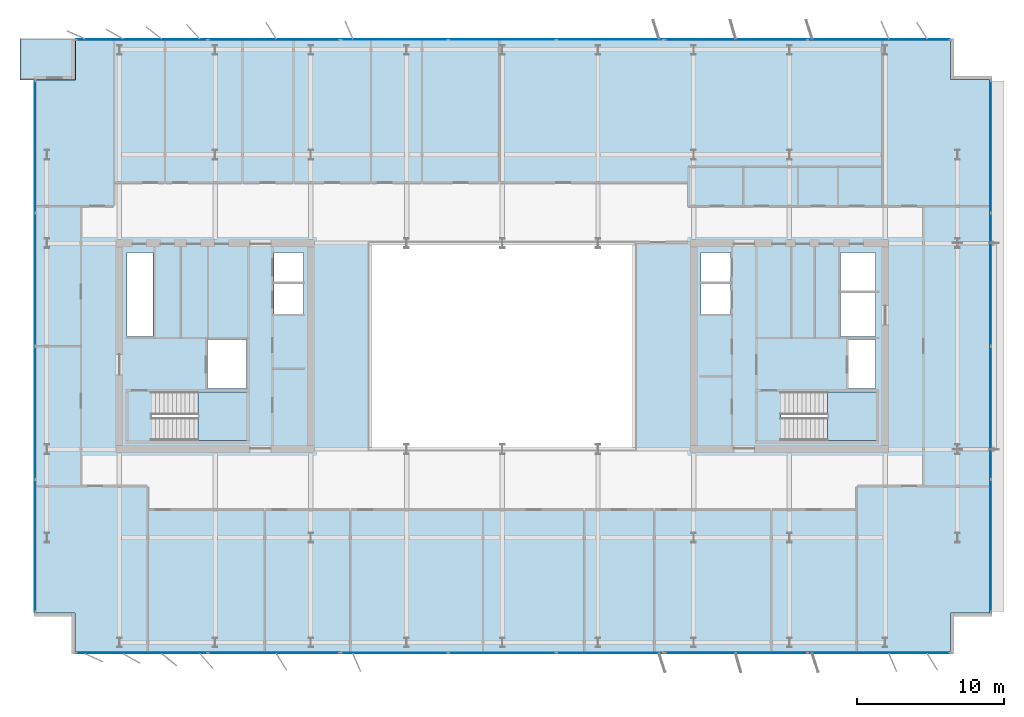
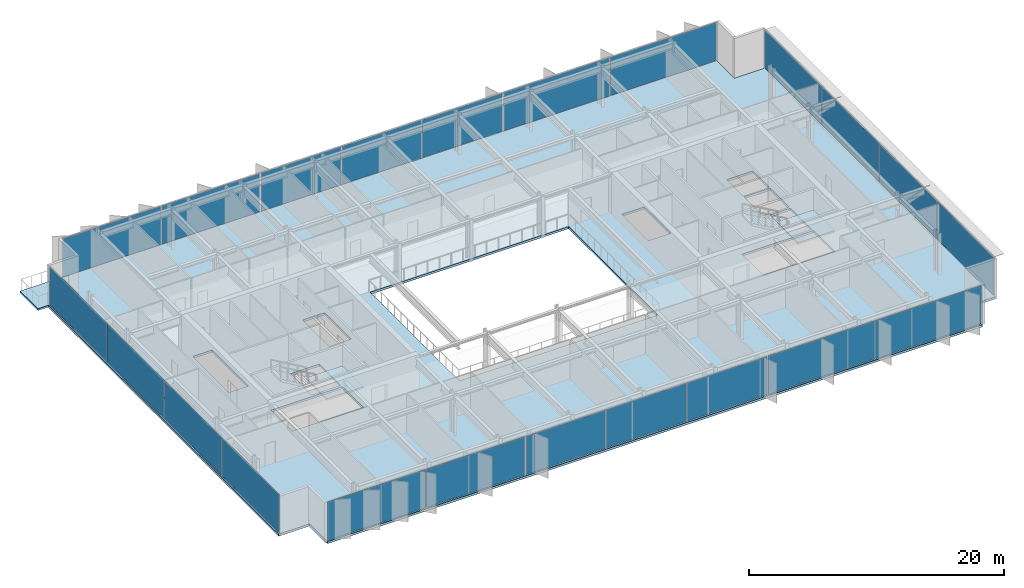
# One storey, part 11 of 21: 22 plates, 4 slabs, 10 elements without a shape of their own.
"""IFC4 building model written with IfcOpenShell, lengths in metres."""

from ifc_helpers import new_model, si_unit, direction, frame, origin, origin_2d, place, context, subcontext, project, spatial, polyline, rectangle, outline, extrude, material, layer, layer_set, type_object, element, aggregate, save


model = new_model("IFC4")

# Units and contexts
model_context = context("Model", 3, precision=1e-05, world=origin(), true_north=direction((0.0, 1.0)))
body_context = subcontext(model_context, "Body", "Model", "MODEL_VIEW")
ifc_project = project(units=[si_unit("LENGTHUNIT", "METRE"), si_unit("AREAUNIT", "SQUARE_METRE"), si_unit("VOLUMEUNIT", "CUBIC_METRE"), si_unit("PLANEANGLEUNIT", "RADIAN"), si_unit("MASSUNIT", "GRAM", prefix="KILO")], contexts=[model_context])

# Site, building, storey
site_placement = place(None, origin())
site = spatial("IfcSite", under=ifc_project, at=site_placement, CompositionType="ELEMENT")
building_placement = place(site_placement, origin())
building = spatial("IfcBuilding", under=site, at=building_placement, Name="Putna Gate Headquarters", CompositionType="ELEMENT")
storey_placement = place(building_placement, frame((0.0, 0.0, 278.39990234375)))
storey = spatial("IfcBuildingStorey", under=building, at=storey_placement, Name="L70", CompositionType="ELEMENT", Elevation=278.39990234375)

# Stair, slab
ifc_material_1 = material(Name="Concrete C40/50", Category="concrete")
stair_type_1 = type_object("IfcStairType", Name="STAIR-ST1", PredefinedType="HALF_TURN_STAIR", material=ifc_material_1)
stair_1_placement = place(storey_placement, origin())
stair_1 = element("IfcStair", 1, at=stair_1_placement, inside=storey, type_object=stair_type_1, Name="L70 West Core Exit Stair ST1", PredefinedType="HALF_TURN_STAIR")
ifc_layer_1 = layer(ifc_material_1, 0.199951171875)
ifc_layer_set_1 = layer_set([ifc_layer_1], Name="Concrete C40/50")
slab_type_1 = type_object("IfcSlabType", Name="LANDING-ST1", PredefinedType="LANDING", material=ifc_layer_set_1)
slab_1_placement = place(storey_placement, frame((0.0, 0.0, 1.800048828125)))
slab_1 = element("IfcSlab", 2, at=slab_1_placement, type_object=slab_type_1, Name="ST1 landing 1", PredefinedType="LANDING", context=body_context, shape_type="SweptSolid", body=[
    extrude(outline(polyline([(18.340087890625, 19.60009765625), (21.64990234375, 19.60009765625), (21.64990234375, 22.89990234375), (18.340087890625, 22.89990234375), (18.340087890625, 19.60009765625)])), origin(), (0.0, 0.0, 1.0), 0.199951171875),
])
aggregate(stair_1, [slab_1])

stair_type_2 = type_object("IfcStairType", Name="STAIR-ST2", PredefinedType="HALF_TURN_STAIR", material=ifc_material_1)
stair_2_placement = place(storey_placement, origin())
stair_2 = element("IfcStair", 3, at=stair_2_placement, inside=storey, type_object=stair_type_2, Name="L70 East Core Exit Stair ST2", PredefinedType="HALF_TURN_STAIR")
ifc_layer_2 = layer(ifc_material_1, 0.199951171875)
ifc_layer_set_2 = layer_set([ifc_layer_2], Name="Concrete C40/50")
slab_type_2 = type_object("IfcSlabType", Name="LANDING-ST2", PredefinedType="LANDING", material=ifc_layer_set_2)
slab_2_placement = place(storey_placement, frame((0.0, 0.0, 1.800048828125)))
slab_2 = element("IfcSlab", 4, at=slab_2_placement, type_object=slab_type_2, Name="ST2 landing 1", PredefinedType="LANDING", context=body_context, shape_type="SweptSolid", body=[
    extrude(outline(polyline([(61.090087890625, 19.60009765625), (64.39990234375, 19.60009765625), (64.39990234375, 22.89990234375), (61.090087890625, 22.89990234375), (61.090087890625, 19.60009765625)])), origin(), (0.0, 0.0, 1.0), 0.199951171875),
])
aggregate(stair_2, [slab_2])

# Curtain wall, plates
ifc_material_2 = material(Name="Anodised bronze aluminium curtain wall", Category="aluminium")
ifc_layer_3 = layer(ifc_material_2, 0.179931640625)
ifc_layer_set_3 = layer_set([ifc_layer_3], Name="Anodised bronze aluminium curtain wall")
curtain_wall_type_1 = type_object("IfcCurtainWallType", Name="CW-SYS-Z5", PredefinedType="USERDEFINED", material=ifc_layer_set_3)
curtain_wall_1_placement = place(storey_placement, origin())
curtain_wall_1 = element("IfcCurtainWall", 5, at=curtain_wall_1_placement, inside=storey, type_object=curtain_wall_type_1, Name="L70 South West Curtain Wall", ObjectType="STICK CURTAIN WALL", PredefinedType="USERDEFINED")
ifc_material_3 = material(Name="Solar-control triple low-E glass", Category="glass")
ifc_layer_4 = layer(ifc_material_3, 0.033935546875)
ifc_layer_set_4 = layer_set([ifc_layer_4], Name="Solar-control triple low-E glass")
plate_type_1 = type_object("IfcPlateType", Name="PAN-CWP-5", PredefinedType="CURTAIN_PANEL", material=ifc_layer_set_4)
plate_1_placement = place(storey_placement, frame((14.517578125, 5.179931640625, 0.06005859375), z_axis=(0.0, 0.0, 1.0), x_axis=(1.0, 0.0, 0.0)))
plate_1 = element("IfcPlate", 6, at=plate_1_placement, type_object=plate_type_1, Name="CWS-5 panel 1.1", PredefinedType="CURTAIN_PANEL", context=body_context, shape_type="SweptSolid", body=[
    extrude(rectangle(XDim=8.89501953125, YDim=0.033935546875, at=origin_2d()), origin(), (0.0, 0.0, 1.0), 3.66796875),
])
plate_2_placement = place(storey_placement, frame((23.482421875, 5.179931640625, 0.06005859375), z_axis=(0.0, 0.0, 1.0), x_axis=(1.0, 0.0, 0.0)))
plate_2 = element("IfcPlate", 7, at=plate_2_placement, type_object=plate_type_1, Name="CWS-5 panel 2.1", PredefinedType="CURTAIN_PANEL", context=body_context, shape_type="SweptSolid", body=[
    extrude(rectangle(XDim=8.89501953125, YDim=0.033935546875, at=origin_2d()), origin(), (0.0, 0.0, 1.0), 3.66796875),
])
aggregate(curtain_wall_1, [plate_1, plate_2])

curtain_wall_2_placement = place(storey_placement, origin())
curtain_wall_2 = element("IfcCurtainWall", 8, at=curtain_wall_2_placement, inside=storey, type_object=curtain_wall_type_1, Name="L70 South East Curtain Wall", ObjectType="STICK CURTAIN WALL", PredefinedType="USERDEFINED")
plate_3_placement = place(storey_placement, frame((54.88037109375, 5.179931640625, 0.06005859375), z_axis=(0.0, 0.0, 1.0), x_axis=(1.0, 0.0, 0.0)))
plate_3 = element("IfcPlate", 9, at=plate_3_placement, type_object=plate_type_1, Name="CWS-5 panel 1.1", PredefinedType="CURTAIN_PANEL", context=body_context, shape_type="SweptSolid", body=[
    extrude(rectangle(XDim=9.62060546875, YDim=0.033935546875, at=origin_2d()), origin(), (0.0, 0.0, 1.0), 3.66796875),
])
plate_4_placement = place(storey_placement, frame((64.57080078125, 5.179931640625, 0.06005859375), z_axis=(0.0, 0.0, 1.0), x_axis=(1.0, 0.0, 0.0)))
plate_4 = element("IfcPlate", 10, at=plate_4_placement, type_object=plate_type_1, Name="CWS-5 panel 2.1", PredefinedType="CURTAIN_PANEL", context=body_context, shape_type="SweptSolid", body=[
    extrude(rectangle(XDim=9.62060546875, YDim=0.033935546875, at=origin_2d()), origin(), (0.0, 0.0, 1.0), 3.66796875),
])
aggregate(curtain_wall_2, [plate_3, plate_4])

curtain_wall_3_placement = place(storey_placement, origin())
curtain_wall_3 = element("IfcCurtainWall", 11, at=curtain_wall_3_placement, inside=storey, type_object=curtain_wall_type_1, Name="L70 North West Curtain Wall", ObjectType="STICK CURTAIN WALL", PredefinedType="USERDEFINED")
plate_5_placement = place(storey_placement, frame((14.517578125, 46.820068359375, 0.06005859375), z_axis=(0.0, 0.0, 1.0), x_axis=(1.0, 0.0, 0.0)))
plate_5 = element("IfcPlate", 12, at=plate_5_placement, type_object=plate_type_1, Name="CWS-5 panel 1.1", PredefinedType="CURTAIN_PANEL", context=body_context, shape_type="SweptSolid", body=[
    extrude(rectangle(XDim=8.89501953125, YDim=0.033935546875, at=origin_2d()), origin(), (0.0, 0.0, 1.0), 3.66796875),
])
plate_6_placement = place(storey_placement, frame((23.482421875, 46.820068359375, 0.06005859375), z_axis=(0.0, 0.0, 1.0), x_axis=(1.0, 0.0, 0.0)))
plate_6 = element("IfcPlate", 13, at=plate_6_placement, type_object=plate_type_1, Name="CWS-5 panel 2.1", PredefinedType="CURTAIN_PANEL", context=body_context, shape_type="SweptSolid", body=[
    extrude(rectangle(XDim=8.89501953125, YDim=0.033935546875, at=origin_2d()), origin(), (0.0, 0.0, 1.0), 3.66796875),
])
aggregate(curtain_wall_3, [plate_5, plate_6])

curtain_wall_4_placement = place(storey_placement, origin())
curtain_wall_4 = element("IfcCurtainWall", 14, at=curtain_wall_4_placement, inside=storey, type_object=curtain_wall_type_1, Name="L70 North East Curtain Wall", ObjectType="STICK CURTAIN WALL", PredefinedType="USERDEFINED")
plate_7_placement = place(storey_placement, frame((54.88037109375, 46.820068359375, 0.06005859375), z_axis=(0.0, 0.0, 1.0), x_axis=(1.0, 0.0, 0.0)))
plate_7 = element("IfcPlate", 15, at=plate_7_placement, type_object=plate_type_1, Name="CWS-5 panel 1.1", PredefinedType="CURTAIN_PANEL", context=body_context, shape_type="SweptSolid", body=[
    extrude(rectangle(XDim=9.62060546875, YDim=0.033935546875, at=origin_2d()), origin(), (0.0, 0.0, 1.0), 3.66796875),
])
plate_8_placement = place(storey_placement, frame((64.57080078125, 46.820068359375, 0.06005859375), z_axis=(0.0, 0.0, 1.0), x_axis=(1.0, 0.0, 0.0)))
plate_8 = element("IfcPlate", 16, at=plate_8_placement, type_object=plate_type_1, Name="CWS-5 panel 2.1", PredefinedType="CURTAIN_PANEL", context=body_context, shape_type="SweptSolid", body=[
    extrude(rectangle(XDim=9.62060546875, YDim=0.033935546875, at=origin_2d()), origin(), (0.0, 0.0, 1.0), 3.66796875),
])
aggregate(curtain_wall_4, [plate_7, plate_8])

curtain_wall_5_placement = place(storey_placement, origin())
curtain_wall_5 = element("IfcCurtainWall", 17, at=curtain_wall_5_placement, inside=storey, type_object=curtain_wall_type_1, Name="L70 West Curtain Wall", ObjectType="STICK CURTAIN WALL", PredefinedType="USERDEFINED")
plate_9_placement = place(storey_placement, frame((7.280029296875, 12.4423828125, 0.06005859375), z_axis=(0.0, 0.0, 1.0), x_axis=(0.0, 1.0, 0.0)))
plate_9 = element("IfcPlate", 18, at=plate_9_placement, type_object=plate_type_1, Name="CWS-5 panel 1.1", PredefinedType="CURTAIN_PANEL", context=body_context, shape_type="SweptSolid", body=[
    extrude(rectangle(XDim=8.945068359375, YDim=0.033935546875, at=origin_2d()), origin(), (0.0, 0.0, 1.0), 3.66796875),
])
plate_10_placement = place(storey_placement, frame((7.280029296875, 21.47509765625, 0.06005859375), z_axis=(0.0, 0.0, 1.0), x_axis=(0.0, 1.0, 0.0)))
plate_10 = element("IfcPlate", 19, at=plate_10_placement, type_object=plate_type_1, Name="CWS-5 panel 2.1", PredefinedType="CURTAIN_PANEL", context=body_context, shape_type="SweptSolid", body=[
    extrude(rectangle(XDim=8.97998046875, YDim=0.033935546875, at=origin_2d()), origin(), (0.0, 0.0, 1.0), 3.66796875),
])
plate_11_placement = place(storey_placement, frame((7.280029296875, 30.52490234375, 0.06005859375), z_axis=(0.0, 0.0, 1.0), x_axis=(0.0, 1.0, 0.0)))
plate_11 = element("IfcPlate", 20, at=plate_11_placement, type_object=plate_type_1, Name="CWS-5 panel 3.1", PredefinedType="CURTAIN_PANEL", context=body_context, shape_type="SweptSolid", body=[
    extrude(rectangle(XDim=8.97998046875, YDim=0.033935546875, at=origin_2d()), origin(), (0.0, 0.0, 1.0), 3.66796875),
])
plate_12_placement = place(storey_placement, frame((7.280029296875, 39.5576171875, 0.06005859375), z_axis=(0.0, 0.0, 1.0), x_axis=(0.0, 1.0, 0.0)))
plate_12 = element("IfcPlate", 21, at=plate_12_placement, type_object=plate_type_1, Name="CWS-5 panel 4.1", PredefinedType="CURTAIN_PANEL", context=body_context, shape_type="SweptSolid", body=[
    extrude(rectangle(XDim=8.945068359375, YDim=0.033935546875, at=origin_2d()), origin(), (0.0, 0.0, 1.0), 3.66796875),
])
aggregate(curtain_wall_5, [plate_9, plate_10, plate_11, plate_12])

curtain_wall_6_placement = place(storey_placement, origin())
curtain_wall_6 = element("IfcCurtainWall", 22, at=curtain_wall_6_placement, inside=storey, type_object=curtain_wall_type_1, Name="L70 East Curtain Wall", ObjectType="STICK CURTAIN WALL", PredefinedType="USERDEFINED")
plate_13_placement = place(storey_placement, frame((72.171142578125, 12.4423828125, 0.06005859375), z_axis=(0.0, 0.0, 1.0), x_axis=(0.0, 1.0, 0.0)))
plate_13 = element("IfcPlate", 23, at=plate_13_placement, type_object=plate_type_1, Name="CWS-5 panel 1.1", PredefinedType="CURTAIN_PANEL", context=body_context, shape_type="SweptSolid", body=[
    extrude(rectangle(XDim=8.945068359375, YDim=0.033935546875, at=origin_2d()), origin(), (0.0, 0.0, 1.0), 3.66796875),
])
plate_14_placement = place(storey_placement, frame((72.171142578125, 21.47509765625, 0.06005859375), z_axis=(0.0, 0.0, 1.0), x_axis=(0.0, 1.0, 0.0)))
plate_14 = element("IfcPlate", 24, at=plate_14_placement, type_object=plate_type_1, Name="CWS-5 panel 2.1", PredefinedType="CURTAIN_PANEL", context=body_context, shape_type="SweptSolid", body=[
    extrude(rectangle(XDim=8.97998046875, YDim=0.033935546875, at=origin_2d()), origin(), (0.0, 0.0, 1.0), 3.66796875),
])
plate_15_placement = place(storey_placement, frame((72.171142578125, 30.52490234375, 0.06005859375), z_axis=(0.0, 0.0, 1.0), x_axis=(0.0, 1.0, 0.0)))
plate_15 = element("IfcPlate", 25, at=plate_15_placement, type_object=plate_type_1, Name="CWS-5 panel 3.1", PredefinedType="CURTAIN_PANEL", context=body_context, shape_type="SweptSolid", body=[
    extrude(rectangle(XDim=8.97998046875, YDim=0.033935546875, at=origin_2d()), origin(), (0.0, 0.0, 1.0), 3.66796875),
])
plate_16_placement = place(storey_placement, frame((72.171142578125, 39.5576171875, 0.06005859375), z_axis=(0.0, 0.0, 1.0), x_axis=(0.0, 1.0, 0.0)))
plate_16 = element("IfcPlate", 26, at=plate_16_placement, type_object=plate_type_1, Name="CWS-5 panel 4.1", PredefinedType="CURTAIN_PANEL", context=body_context, shape_type="SweptSolid", body=[
    extrude(rectangle(XDim=8.945068359375, YDim=0.033935546875, at=origin_2d()), origin(), (0.0, 0.0, 1.0), 3.66796875),
])
aggregate(curtain_wall_6, [plate_13, plate_14, plate_15, plate_16])

ifc_layer_5 = layer(ifc_material_2, 0.179931640625)
ifc_layer_set_5 = layer_set([ifc_layer_5], Name="Anodised bronze aluminium curtain wall")
curtain_wall_type_2 = type_object("IfcCurtainWallType", Name="CW-SYS-ATR", PredefinedType="USERDEFINED", material=ifc_layer_set_5)
curtain_wall_7_placement = place(storey_placement, origin())
curtain_wall_7 = element("IfcCurtainWall", 27, at=curtain_wall_7_placement, inside=storey, type_object=curtain_wall_type_2, Name="L70 South Atrium Clear Glazing", ObjectType="ATRIUM GLAZING", PredefinedType="USERDEFINED")
ifc_material_4 = material(Name="Clear low-iron triple glazing", Category="glass")
ifc_layer_6 = layer(ifc_material_4, 0.0400390625)
ifc_layer_set_6 = layer_set([ifc_layer_6], Name="Clear low-iron triple glazing")
plate_type_2 = type_object("IfcPlateType", Name="PAN-CWP-AT", PredefinedType="CURTAIN_PANEL", material=ifc_layer_set_6)
plate_17_placement = place(storey_placement, frame((31.68408203125, 5.179931640625, 0.070068359375), z_axis=(0.0, 0.0, 1.0), x_axis=(1.0, 0.0, 0.0)))
plate_17 = element("IfcPlate", 28, at=plate_17_placement, type_object=plate_type_2, Name="CWS-AT panel 1.1", PredefinedType="CURTAIN_PANEL", context=body_context, shape_type="SweptSolid", body=[
    extrude(rectangle(XDim=7.228271484375, YDim=0.0400390625, at=origin_2d()), origin(), (0.0, 0.0, 1.0), 3.64794921875),
])
plate_18_placement = place(storey_placement, frame((39.0, 5.179931640625, 0.070068359375), z_axis=(0.0, 0.0, 1.0), x_axis=(1.0, 0.0, 0.0)))
plate_18 = element("IfcPlate", 29, at=plate_18_placement, type_object=plate_type_2, Name="CWS-AT panel 2.1", PredefinedType="CURTAIN_PANEL", context=body_context, shape_type="SweptSolid", body=[
    extrude(rectangle(XDim=7.263427734375, YDim=0.0400390625, at=origin_2d()), origin(), (0.0, 0.0, 1.0), 3.64794921875),
])
plate_19_placement = place(storey_placement, frame((46.31591796875, 5.179931640625, 0.070068359375), z_axis=(0.0, 0.0, 1.0), x_axis=(1.0, 0.0, 0.0)))
plate_19 = element("IfcPlate", 30, at=plate_19_placement, type_object=plate_type_2, Name="CWS-AT panel 3.1", PredefinedType="CURTAIN_PANEL", context=body_context, shape_type="SweptSolid", body=[
    extrude(rectangle(XDim=7.228271484375, YDim=0.0400390625, at=origin_2d()), origin(), (0.0, 0.0, 1.0), 3.64794921875),
])
aggregate(curtain_wall_7, [plate_17, plate_18, plate_19])

curtain_wall_8_placement = place(storey_placement, origin())
curtain_wall_8 = element("IfcCurtainWall", 31, at=curtain_wall_8_placement, inside=storey, type_object=curtain_wall_type_2, Name="L70 North Atrium Clear Glazing", ObjectType="ATRIUM GLAZING", PredefinedType="USERDEFINED")
plate_20_placement = place(storey_placement, frame((31.68408203125, 46.820068359375, 0.070068359375), z_axis=(0.0, 0.0, 1.0), x_axis=(1.0, 0.0, 0.0)))
plate_20 = element("IfcPlate", 32, at=plate_20_placement, type_object=plate_type_2, Name="CWS-AT panel 1.1", PredefinedType="CURTAIN_PANEL", context=body_context, shape_type="SweptSolid", body=[
    extrude(rectangle(XDim=7.228271484375, YDim=0.0400390625, at=origin_2d()), origin(), (0.0, 0.0, 1.0), 3.64794921875),
])
plate_21_placement = place(storey_placement, frame((39.0, 46.820068359375, 0.070068359375), z_axis=(0.0, 0.0, 1.0), x_axis=(1.0, 0.0, 0.0)))
plate_21 = element("IfcPlate", 33, at=plate_21_placement, type_object=plate_type_2, Name="CWS-AT panel 2.1", PredefinedType="CURTAIN_PANEL", context=body_context, shape_type="SweptSolid", body=[
    extrude(rectangle(XDim=7.263427734375, YDim=0.0400390625, at=origin_2d()), origin(), (0.0, 0.0, 1.0), 3.64794921875),
])
plate_22_placement = place(storey_placement, frame((46.31591796875, 46.820068359375, 0.070068359375), z_axis=(0.0, 0.0, 1.0), x_axis=(1.0, 0.0, 0.0)))
plate_22 = element("IfcPlate", 34, at=plate_22_placement, type_object=plate_type_2, Name="CWS-AT panel 3.1", PredefinedType="CURTAIN_PANEL", context=body_context, shape_type="SweptSolid", body=[
    extrude(rectangle(XDim=7.228271484375, YDim=0.0400390625, at=origin_2d()), origin(), (0.0, 0.0, 1.0), 3.64794921875),
])
aggregate(curtain_wall_8, [plate_20, plate_21, plate_22])

# Slabs
ifc_layer_7 = layer(ifc_material_1, 0.179931640625)
ifc_layer_set_7 = layer_set([ifc_layer_7], Name="Concrete C40/50")
slab_type_3 = type_object("IfcSlabType", Name="SLAB-TERRACE-180", PredefinedType="FLOOR", material=ifc_layer_set_7)
slab_3_placement = place(storey_placement, frame((0.0, 0.0, -0.179931640625)))
element("IfcSlab", 35, at=slab_3_placement, inside=storey, type_object=slab_type_3, Name="L70 Spiral Sky-Garden Terrace Slab (NW)", PredefinedType="FLOOR", context=body_context, shape_type="SweptSolid", body=[
    extrude(outline(polyline([(6.25, 44.092041015625), (10.008056640625, 44.092041015625), (10.008056640625, 46.89990234375), (6.25, 46.89990234375), (6.25, 44.092041015625)])), origin(), (0.0, 0.0, 1.0), 0.179931640625),
])
ifc_layer_8 = layer(ifc_material_1, 0.2119140625)
ifc_layer_set_8 = layer_set([ifc_layer_8], Name="Concrete C40/50")
slab_type_4 = type_object("IfcSlabType", Name="SLAB-Z5-212", PredefinedType="FLOOR", material=ifc_layer_set_8)
slab_4_placement = place(storey_placement, frame((0.0, 0.0, -0.2119140625)))
element("IfcSlab", 36, at=slab_4_placement, inside=storey, type_object=slab_type_4, Name="L70 Composite Floor Slab", PredefinedType="FLOOR", context=body_context, shape_type="SweptSolid", body=[
    extrude(outline(polyline([(10.0, 5.10009765625), (69.451171875, 5.10009765625), (69.451171875, 7.89990234375), (72.251220703125, 7.89990234375), (72.251220703125, 44.10009765625), (69.451171875, 44.10009765625), (69.451171875, 46.89990234375), (10.0, 46.89990234375), (10.0, 44.10009765625), (7.199951171875, 44.10009765625), (7.199951171875, 7.89990234375), (10.0, 7.89990234375), (10.0, 5.10009765625)]), holes=[polyline([(15.1650390625, 19.60009765625), (21.64990234375, 19.60009765625), (21.64990234375, 22.89990234375), (15.1650390625, 22.89990234375), (15.1650390625, 19.60009765625)]), polyline([(57.9150390625, 19.60009765625), (64.39990234375, 19.60009765625), (64.39990234375, 22.89990234375), (57.9150390625, 22.89990234375), (57.9150390625, 19.60009765625)]), polyline([(13.52001953125, 26.659912109375), (15.280029296875, 26.659912109375), (15.280029296875, 32.35009765625), (13.52001953125, 32.35009765625), (13.52001953125, 26.659912109375)]), polyline([(61.969970703125, 29.780029296875), (64.35009765625, 29.780029296875), (64.35009765625, 32.35009765625), (61.969970703125, 32.35009765625), (61.969970703125, 29.780029296875)]), polyline([(18.97998046875, 23.1201171875), (21.6201171875, 23.1201171875), (21.6201171875, 26.4599609375), (18.97998046875, 26.4599609375), (18.97998046875, 23.1201171875)]), polyline([(62.52001953125, 23.1201171875), (64.35009765625, 23.1201171875), (64.35009765625, 26.4599609375), (62.52001953125, 26.4599609375), (62.52001953125, 23.1201171875)]), polyline([(61.969970703125, 26.659912109375), (64.35009765625, 26.659912109375), (64.35009765625, 29.6201171875), (61.969970703125, 29.6201171875), (61.969970703125, 26.659912109375)]), polyline([(23.5, 28.199951171875), (25.5, 28.199951171875), (25.5, 32.35009765625), (23.5, 32.35009765625), (23.5, 28.199951171875)]), polyline([(52.47998046875, 28.199951171875), (54.5, 28.199951171875), (54.5, 32.35009765625), (52.47998046875, 32.35009765625), (52.47998046875, 28.199951171875)]), polyline([(30.0, 19.0), (48.0, 19.0), (48.0, 33.0), (30.0, 33.0), (30.0, 19.0)])]), origin(), (0.0, 0.0, 1.0), 0.2119140625),
])

save(model, "model.ifc")
